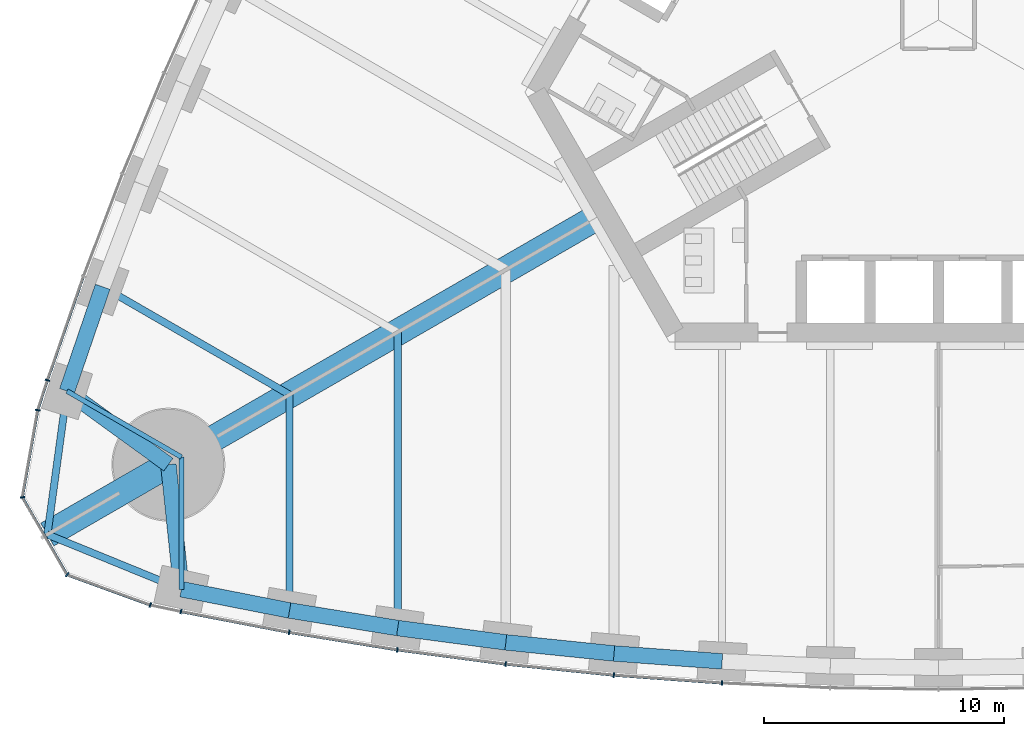
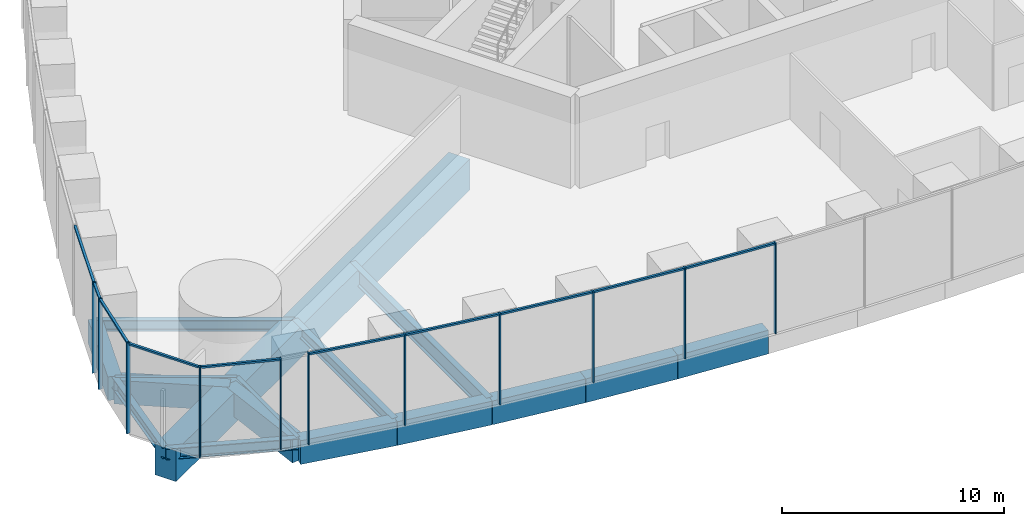
# One storey, part 2 of 21: 21 members, 17 beams, 3 elements without a shape of their own.
"""IFC4 building model written with IfcOpenShell, lengths in metres."""

import ifcopenshell
import ifcopenshell.guid

model = None  # the IFC model being written
_history = None  # IfcOwnerHistory: only IFC2X3 demands one
_inside = {}  # id of a spatial element -> (the spatial element, [elements in it])
_under = {}  # id of a project, library or spatial element -> (it, [spatial elements below it])
_declared = {}  # id of a project -> (the project, [libraries it declares])
_typed = {}  # id of a type object -> (the type object, [elements of that type])
_made_of = {}  # id of a material, layer set ... -> (it, [elements and type objects made of it])


def new_model(schema):
    """Start an empty IFC model of exactly this schema.

    Asked for "IFC4X3", IfcOpenShell would pick the latest addendum, in which some entities
    have other attributes; the version numbers below select the first issue.
    IFC2X3 requires an IfcOwnerHistory on every rooted entity: one is made here for all.
    """
    global model, _history
    if schema == "IFC4X3":
        model = ifcopenshell.file(schema_version=(4, 3, 0, 0))
    else:
        model = ifcopenshell.file(schema=schema)
    _inside.clear()
    _under.clear()
    _declared.clear()
    _typed.clear()
    _made_of.clear()
    _history = None
    if model.schema == "IFC2X3":
        org = make("IfcOrganization", Name="unknown")
        user = make(
            "IfcPersonAndOrganization",
            ThePerson=make("IfcPerson", FamilyName="unknown"),
            TheOrganization=org,
        )
        app = make(
            "IfcApplication",
            ApplicationDeveloper=org,
            Version="unknown",
            ApplicationFullName="unknown",
            ApplicationIdentifier="unknown",
        )
        _history = make(
            "IfcOwnerHistory",
            OwningUser=user,
            OwningApplication=app,
            ChangeAction="ADDED",
            CreationDate=0,
        )
    return model


def make(cls, **values):
    """One entity of the class cls with the attributes given. An attribute that is None is left unset."""
    return model.create_entity(
        cls, **{name: value for name, value in values.items() if value is not None}
    )


def rooted(cls, **values):
    """An entity with a GlobalId (a new one), such as an element, a storey or a relation."""
    return make(cls, GlobalId=ifcopenshell.guid.new(), OwnerHistory=_history, **values)


def si_unit(unit_type, name, prefix=None):
    """IfcSIUnit, for example si_unit("LENGTHUNIT", "METRE", prefix="MILLI")."""
    return make("IfcSIUnit", UnitType=unit_type, Prefix=prefix, Name=name)


def assignment(units):
    """IfcUnitAssignment: the units of a project."""
    return None if units is None else make("IfcUnitAssignment", Units=units)


def point(xyz):
    """IfcCartesianPoint."""
    return None if xyz is None else make("IfcCartesianPoint", Coordinates=xyz)


def direction(xyz):
    """IfcDirection."""
    return None if xyz is None else make("IfcDirection", DirectionRatios=xyz)


def frame(location, z_axis=None, x_axis=None):
    """IfcAxis2Placement3D, a coordinate frame: its origin and axes. An axis left out is left unset."""
    return make(
        "IfcAxis2Placement3D",
        Location=point(location),
        Axis=direction(z_axis),
        RefDirection=direction(x_axis),
    )


def frame_2d(location, x_axis=None):
    """IfcAxis2Placement2D, a coordinate frame in the plane: its origin and x axis."""
    return make(
        "IfcAxis2Placement2D", Location=point(location), RefDirection=direction(x_axis)
    )


def origin():
    """The frame at (0, 0, 0) with its axes left unset."""
    return frame((0.0, 0.0, 0.0))


def origin_2d():
    """The frame at (0, 0) in the plane with its x axis left unset."""
    return frame_2d((0.0, 0.0))


def place(relative_to, where):
    """IfcLocalPlacement: puts the frame where relative to a parent placement (None: the world)."""
    return make(
        "IfcLocalPlacement", PlacementRelTo=relative_to, RelativePlacement=where
    )


def context(
    kind, dimensions, precision=None, world=None, true_north=None, identifier=None
):
    """IfcGeometricRepresentationContext, for example the 3D "Model" context."""
    return make(
        "IfcGeometricRepresentationContext",
        ContextIdentifier=identifier,
        ContextType=kind,
        CoordinateSpaceDimension=dimensions,
        Precision=precision,
        WorldCoordinateSystem=world,
        TrueNorth=true_north,
    )


def subcontext(parent, identifier, kind, view, scale=None):
    """IfcGeometricRepresentationSubContext, for example "Body" below "Model"."""
    return make(
        "IfcGeometricRepresentationSubContext",
        ContextIdentifier=identifier,
        ContextType=kind,
        ParentContext=parent,
        TargetScale=scale,
        TargetView=view,
    )


def project(units=None, contexts=None):
    """IfcProject with its units and contexts."""
    return rooted(
        "IfcProject",
        Name="project",
        RepresentationContexts=contexts,
        UnitsInContext=assignment(units),
    )


def spatial(cls, under=None, at=None, **own):
    """A site, building, storey or space (cls), placed at a placement, below another one or the project."""
    s = rooted(cls, ObjectPlacement=at, **own)
    if under is not None:
        _under.setdefault(under.id(), (under, []))[1].append(s)
    return s


def profile(cls, at=None, kind="AREA", **sizes):
    """A parametric profile (cls). Its sizes go by their IFC names, for example OverallWidth=200.0."""
    return make(cls, ProfileType=kind, Position=at, **sizes)


def rectangle(**sizes):
    """IfcRectangleProfileDef."""
    return profile("IfcRectangleProfileDef", **sizes)


def i_section(**sizes):
    """IfcIShapeProfileDef."""
    return profile("IfcIShapeProfileDef", **sizes)


def extrude(swept, where, along, depth):
    """IfcExtrudedAreaSolid: the profile swept, set in the frame where, extruded along a direction by depth."""
    return make(
        "IfcExtrudedAreaSolid",
        SweptArea=swept,
        Position=where,
        ExtrudedDirection=direction(along),
        Depth=depth,
    )


def shape(context_of_items, identifier, shape_type, items):
    """IfcShapeRepresentation: the items that make up one representation, for example the "Body"."""
    return make(
        "IfcShapeRepresentation",
        ContextOfItems=context_of_items,
        RepresentationIdentifier=identifier,
        RepresentationType=shape_type,
        Items=items,
    )


def material(Name=None, Category=None):
    """IfcMaterial."""
    return make("IfcMaterial", Name=Name, Category=Category)


def material_profile(
    of_material, cross_section, Name=None, Category=None, Priority=None
):
    """IfcMaterialProfile: a cross section and its material."""
    return make(
        "IfcMaterialProfile",
        Name=Name,
        Material=of_material,
        Profile=cross_section,
        Priority=Priority,
        Category=Category,
    )


def profile_set(profiles, Name=None, composite=None):
    """IfcMaterialProfileSet."""
    return make(
        "IfcMaterialProfileSet",
        Name=Name,
        MaterialProfiles=profiles,
        CompositeProfile=composite,
    )


def made_of(thing, what):
    """Note that an element or type object is made of a material, layer set ...; save() writes the relation."""
    if what is not None:
        _made_of.setdefault(what.id(), (what, []))[1].append(thing)
    return thing


def type_object(cls, material=None, **own):
    """A type object (cls), such as IfcWallType, which elements share."""
    return made_of(rooted(cls, **own), material)


def element(
    cls,
    number,
    at=None,
    inside=None,
    cuts=None,
    type_object=None,
    material=None,
    context=None,
    identifier="Body",
    shape_type=None,
    held_by="IfcProductDefinitionShape",
    body=None,
    shapes=None,
    **own,
):
    """One element of the class cls, such as IfcWall. Its Tag is "e" and its number.

    at: its placement. inside: the storey or other place that contains it. cuts: it is an
    opening in that element (IfcRelVoidsElement). A single representation is given by context,
    identifier, shape_type and body (its items); several are given by shapes. held_by: the class
    of the entity that holds the representations. save() writes the other relations.
    """
    e = rooted(cls, Tag="e%d" % number, ObjectPlacement=at, **own)
    if body is not None:
        shapes = [shape(context, identifier, shape_type, body)]
    if shapes is not None:
        e.Representation = make(held_by, Representations=shapes)
    if inside is not None:
        _inside.setdefault(inside.id(), (inside, []))[1].append(e)
    if cuts is not None:
        rooted(
            "IfcRelVoidsElement", RelatingBuildingElement=cuts, RelatedOpeningElement=e
        )
    if type_object is not None:
        _typed.setdefault(type_object.id(), (type_object, []))[1].append(e)
    return made_of(e, material)


def aggregate(whole, parts):
    """IfcRelAggregates: a whole, such as a stair, and the parts it consists of."""
    return rooted("IfcRelAggregates", RelatingObject=whole, RelatedObjects=parts)


def save(model, path):
    """Write the relations noted so far, then the file.

    IfcRelAggregates (storeys below a building ...), IfcRelContainedInSpatialStructure (elements
    in a storey), IfcRelDefinesByType, IfcRelAssociatesMaterial and IfcRelDeclares: one each for
    every whole, place, type object, material and project.
    """
    for whole, parts in _under.values():
        aggregate(whole, parts)
    for where, things in _inside.values():
        rooted(
            "IfcRelContainedInSpatialStructure",
            RelatedElements=things,
            RelatingStructure=where,
        )
    for kind, things in _typed.values():
        rooted("IfcRelDefinesByType", RelatedObjects=things, RelatingType=kind)
    for what, things in _made_of.values():
        rooted("IfcRelAssociatesMaterial", RelatedObjects=things, RelatingMaterial=what)
    for by, libraries in _declared.values():
        rooted("IfcRelDeclares", RelatingContext=by, RelatedDefinitions=libraries)
    model.write(path)


model = new_model("IFC4")

# Units and contexts
model_context = context("Model", 3, precision=1e-05, world=origin(), true_north=direction((0.0, 1.0)))
body_context = subcontext(model_context, "Body", "Model", "MODEL_VIEW")
ifc_project = project(units=[si_unit("LENGTHUNIT", "METRE"), si_unit("AREAUNIT", "SQUARE_METRE"), si_unit("VOLUMEUNIT", "CUBIC_METRE"), si_unit("PLANEANGLEUNIT", "RADIAN"), si_unit("MASSUNIT", "GRAM", prefix="KILO")], contexts=[model_context])

# Site, building, storey
site_placement = place(None, origin())
site = spatial("IfcSite", under=ifc_project, at=site_placement, CompositionType="ELEMENT")
building_placement = place(site_placement, origin())
building = spatial("IfcBuilding", under=site, at=building_placement, Name="Trefoil Bronze Tower", CompositionType="ELEMENT")
storey_placement = place(building_placement, frame((0.0, 0.0, 6.5)))
storey = spatial("IfcBuildingStorey", under=building, at=storey_placement, Name="L01", CompositionType="ELEMENT", Elevation=6.5)

# Curtain wall, members
ifc_material_1 = material(Name="Tinted solar-control glass", Category="glass")
curtain_wall_type_1 = type_object("IfcCurtainWallType", Name="Bronze podium storefront curtain wall", PredefinedType="USERDEFINED", material=ifc_material_1)
curtain_wall_1_placement = place(storey_placement, origin())
curtain_wall_1 = element("IfcCurtainWall", 1, at=curtain_wall_1_placement, inside=storey, type_object=curtain_wall_type_1, Name="CW-C L01 F1", ObjectType="CURTAIN WALL", PredefinedType="USERDEFINED")
ifc_material_2 = material(Name="Bronze-finish aluminium", Category="aluminium")
ifc_material_profile_1 = material_profile(ifc_material_2, rectangle(XDim=0.199951171875, YDim=0.06005859375, at=origin_2d()), Name="CW-C mullion")
ifc_profile_set_1 = profile_set([ifc_material_profile_1], Name="Bronze-finish aluminium")
member_type_1 = type_object("IfcMemberType", Name="Bronze podium storefront curtain wall mullion", PredefinedType="MULLION", material=ifc_profile_set_1)
member_1_placement = place(storey_placement, frame((-31.519775390625, -24.614013671875, 0.0), z_axis=(0.0, 0.0, 1.0), x_axis=(0.197910006829, 0.98022019424, 0.0)))
member_1 = element("IfcMember", 2, at=member_1_placement, type_object=member_type_1, Name="CW-C L01 F1 mullion 2", PredefinedType="MULLION", context=body_context, shape_type="SweptSolid", body=[
    extrude(rectangle(XDim=0.199951171875, YDim=0.06005859375, at=origin_2d()), origin(), (0.0, 0.0, 1.0), 4.97998046875),
])
member_2_placement = place(storey_placement, frame((-27.017333984375, -25.478759765625, 0.0), z_axis=(0.0, 0.0, 1.0), x_axis=(0.174131146426, 0.984722470468, 0.0)))
member_2 = element("IfcMember", 3, at=member_2_placement, type_object=member_type_1, Name="CW-C L01 F1 mullion 3", PredefinedType="MULLION", context=body_context, shape_type="SweptSolid", body=[
    extrude(rectangle(XDim=0.199951171875, YDim=0.06005859375, at=origin_2d()), origin(), (0.0, 0.0, 1.0), 4.97998046875),
])
member_3_placement = place(storey_placement, frame((-22.514404296875, -26.206787109375, 0.0), z_axis=(0.0, 0.0, 1.0), x_axis=(0.145108990094, 0.989415676546, 0.0)))
member_3 = element("IfcMember", 4, at=member_3_placement, type_object=member_type_1, Name="CW-C L01 F1 mullion 4", PredefinedType="MULLION", context=body_context, shape_type="SweptSolid", body=[
    extrude(rectangle(XDim=0.199951171875, YDim=0.06005859375, at=origin_2d()), origin(), (0.0, 0.0, 1.0), 4.97998046875),
])
member_4_placement = place(storey_placement, frame((-18.01171875, -26.800048828125, 0.0), z_axis=(0.0, 0.0, 1.0), x_axis=(0.116086999973, 0.993239048989, 0.0)))
member_4 = element("IfcMember", 5, at=member_4_placement, type_object=member_type_1, Name="CW-C L01 F1 mullion 5", PredefinedType="MULLION", context=body_context, shape_type="SweptSolid", body=[
    extrude(rectangle(XDim=0.199951171875, YDim=0.06005859375, at=origin_2d()), origin(), (0.0, 0.0, 1.0), 4.97998046875),
])
member_5_placement = place(storey_placement, frame((-13.5087890625, -27.259765625, 0.0), z_axis=(0.0, 0.0, 1.0), x_axis=(0.087065139456, 0.996202620701, 0.0)))
member_5 = element("IfcMember", 6, at=member_5_placement, type_object=member_type_1, Name="CW-C L01 F1 mullion 6", PredefinedType="MULLION", context=body_context, shape_type="SweptSolid", body=[
    extrude(rectangle(XDim=0.199951171875, YDim=0.06005859375, at=origin_2d()), origin(), (0.0, 0.0, 1.0), 4.97998046875),
])
member_6_placement = place(storey_placement, frame((-9.005859375, -27.587158203125, 0.0), z_axis=(0.0, 0.0, 1.0), x_axis=(0.058043374207, 0.998314062162, 0.0)))
member_6 = element("IfcMember", 7, at=member_6_placement, type_object=member_type_1, Name="CW-C L01 F1 mullion 7", PredefinedType="MULLION", context=body_context, shape_type="SweptSolid", body=[
    extrude(rectangle(XDim=0.199951171875, YDim=0.06005859375, at=origin_2d()), origin(), (0.0, 0.0, 1.0), 4.97998046875),
])

# Curtain wall, member
curtain_wall_2_placement = place(storey_placement, origin())
curtain_wall_2 = element("IfcCurtainWall", 8, at=curtain_wall_2_placement, inside=storey, type_object=curtain_wall_type_1, Name="CW-C L01 F3", ObjectType="CURTAIN WALL", PredefinedType="USERDEFINED")
member_7_placement = place(storey_placement, frame((-37.076416015625, -14.989990234375, 0.0), z_axis=(0.0, 0.0, 1.0), x_axis=(0.947850592929, -0.318715003543, 0.0)))
member_7 = element("IfcMember", 9, at=member_7_placement, type_object=member_type_1, Name="CW-C L01 F3 mullion 16", PredefinedType="MULLION", context=body_context, shape_type="SweptSolid", body=[
    extrude(rectangle(XDim=0.199951171875, YDim=0.06005859375, at=origin_2d()), origin(), (0.0, 0.0, 1.0), 4.97998046875),
])

# Member
ifc_material_3 = material(Name="Bronze-finish aluminium", Category="aluminium")
ifc_material_profile_2 = material_profile(ifc_material_3, rectangle(XDim=0.1201171875, YDim=0.10009765625, at=origin_2d()), Name="CW-C transom")
ifc_profile_set_2 = profile_set([ifc_material_profile_2], Name="Bronze-finish aluminium")
member_type_2 = type_object("IfcMemberType", Name="Bronze podium storefront curtain wall transom", PredefinedType="USERDEFINED", material=ifc_profile_set_2)
member_8_placement = place(storey_placement, frame((-31.489501953125, -24.619873046875, 4.929931640625), z_axis=(0.982049163512, -0.18862513206, 0.0), x_axis=(0.18862513206, 0.982049163512, 0.0)))
member_8 = element("IfcMember", 10, at=member_8_placement, type_object=member_type_2, Name="CW-C L01 F1 transom 2", ObjectType="TRANSOM", PredefinedType="USERDEFINED", context=body_context, shape_type="SweptSolid", body=[
    extrude(rectangle(XDim=0.1201171875, YDim=0.10009765625, at=origin_2d()), origin(), (0.0, 0.0, 1.0), 4.5224609375),
])

member_9_placement = place(storey_placement, frame((-26.986328125, -25.48388671875, 4.929931640625), z_axis=(0.987178845657, -0.159618065043, 0.0), x_axis=(0.159618065043, 0.987178845657, 0.0)))
member_9 = element("IfcMember", 11, at=member_9_placement, type_object=member_type_2, Name="CW-C L01 F1 transom 3", ObjectType="TRANSOM", PredefinedType="USERDEFINED", context=body_context, shape_type="SweptSolid", body=[
    extrude(rectangle(XDim=0.1201171875, YDim=0.10009765625, at=origin_2d()), origin(), (0.0, 0.0, 1.0), 4.498291015625),
])

member_10_placement = place(storey_placement, frame((-22.4833984375, -26.2109375, 4.929931640625), z_axis=(0.991435175775, -0.130599740566, 0.0), x_axis=(0.130599740566, 0.991435175775, 0.0)))
member_10 = element("IfcMember", 12, at=member_10_placement, type_object=member_type_2, Name="CW-C L01 F1 transom 4", ObjectType="TRANSOM", PredefinedType="USERDEFINED", context=body_context, shape_type="SweptSolid", body=[
    extrude(rectangle(XDim=0.1201171875, YDim=0.10009765625, at=origin_2d()), origin(), (0.0, 0.0, 1.0), 4.47900390625),
])

member_11_placement = place(storey_placement, frame((-17.980224609375, -26.80322265625, 4.929931640625), z_axis=(0.994833127844, -0.101523631455, 0.0), x_axis=(0.101523631455, 0.994833127844, 0.0)))
member_11 = element("IfcMember", 13, at=member_11_placement, type_object=member_type_2, Name="CW-C L01 F1 transom 5", ObjectType="TRANSOM", PredefinedType="USERDEFINED", context=body_context, shape_type="SweptSolid", body=[
    extrude(rectangle(XDim=0.1201171875, YDim=0.10009765625, at=origin_2d()), origin(), (0.0, 0.0, 1.0), 4.463134765625),
])

member_12_placement = place(storey_placement, frame((-13.477294921875, -27.261962890625, 4.929931640625), z_axis=(0.997364590548, -0.072552556953, 0.0), x_axis=(0.072552556953, 0.997364590548, 0.0)))
member_12 = element("IfcMember", 14, at=member_12_placement, type_object=member_type_2, Name="CW-C L01 F1 transom 6", ObjectType="TRANSOM", PredefinedType="USERDEFINED", context=body_context, shape_type="SweptSolid", body=[
    extrude(rectangle(XDim=0.1201171875, YDim=0.10009765625, at=origin_2d()), origin(), (0.0, 0.0, 1.0), 4.451904296875),
])

aggregate(curtain_wall_1, [member_1, member_2, member_3, member_4, member_5, member_6, member_8, member_9, member_10, member_11, member_12])

member_13_placement = place(storey_placement, frame((-35.58447265625, -10.68798828125, 4.929931640625), z_axis=(-0.327638958875, -0.944803002021, 0.0), x_axis=(0.944803002021, -0.327638958875, 0.0)))
member_13 = element("IfcMember", 15, at=member_13_placement, type_object=member_type_2, Name="CW-C L01 F3 transom 15", ObjectType="TRANSOM", PredefinedType="USERDEFINED", context=body_context, shape_type="SweptSolid", body=[
    extrude(rectangle(XDim=0.1201171875, YDim=0.10009765625, at=origin_2d()), origin(), (0.0, 0.0, 1.0), 4.522216796875),
])

member_14_placement = place(storey_placement, frame((-37.0859375, -15.019287109375, 4.929931640625), z_axis=(-0.309732068556, -0.950823877334, 0.0), x_axis=(0.950823877334, -0.309732068556, 0.0)))
member_14 = element("IfcMember", 16, at=member_14_placement, type_object=member_type_2, Name="CW-C L01 F3 transom 16", ObjectType="TRANSOM", PredefinedType="USERDEFINED", context=body_context, shape_type="SweptSolid", body=[
    extrude(rectangle(XDim=0.1201171875, YDim=0.10009765625, at=origin_2d()), origin(), (0.0, 0.0, 1.0), 1.23046875),
])

aggregate(curtain_wall_2, [member_7, member_13, member_14])

# Curtain wall, members
ifc_material_4 = material(Name="Tinted solar-control glass", Category="glass")
curtain_wall_type_2 = type_object("IfcCurtainWallType", Name="Bronze rounded corner curtain wall", PredefinedType="USERDEFINED", material=ifc_material_4)
curtain_wall_3_placement = place(storey_placement, origin())
curtain_wall_3 = element("IfcCurtainWall", 17, at=curtain_wall_3_placement, inside=storey, type_object=curtain_wall_type_2, Name="CW-B L01 K3", ObjectType="CURTAIN WALL", PredefinedType="USERDEFINED")
ifc_material_5 = material(Name="Bronze-finish aluminium", Category="aluminium")
ifc_material_profile_3 = material_profile(ifc_material_5, rectangle(XDim=0.199951171875, YDim=0.06005859375, at=origin_2d()), Name="CW-B mullion")
ifc_profile_set_3 = profile_set([ifc_material_profile_3], Name="Bronze-finish aluminium")
member_type_3 = type_object("IfcMemberType", Name="Bronze rounded corner curtain wall mullion", PredefinedType="MULLION", material=ifc_profile_set_3)
member_15_placement = place(storey_placement, frame((-37.479736328125, -16.2314453125, 0.0), z_axis=(0.0, 0.0, 1.0), x_axis=(0.984807753012, -0.173648177667, 0.0)))
member_15 = element("IfcMember", 18, at=member_15_placement, type_object=member_type_3, Name="CW-B L01 K3 mullion 1", PredefinedType="MULLION", context=body_context, shape_type="SweptSolid", body=[
    extrude(rectangle(XDim=0.199951171875, YDim=0.06005859375, at=origin_2d()), origin(), (0.0, 0.0, 1.0), 4.97998046875),
])
member_16_placement = place(storey_placement, frame((-38.11328125, -19.85888671875, 0.0), z_axis=(0.0, 0.0, 1.0), x_axis=(0.984807753012, 0.173648177667, 0.0)))
member_16 = element("IfcMember", 19, at=member_16_placement, type_object=member_type_3, Name="CW-B L01 K3 mullion 2", PredefinedType="MULLION", context=body_context, shape_type="SweptSolid", body=[
    extrude(rectangle(XDim=0.199951171875, YDim=0.06005859375, at=origin_2d()), origin(), (0.0, 0.0, 1.0), 4.97998046875),
])
member_17_placement = place(storey_placement, frame((-36.2548828125, -23.07763671875, 0.0), z_axis=(0.0, 0.0, 1.0), x_axis=(0.642787609687, 0.766044443119, 0.0)))
member_17 = element("IfcMember", 20, at=member_17_placement, type_object=member_type_3, Name="CW-B L01 K3 mullion 3", PredefinedType="MULLION", context=body_context, shape_type="SweptSolid", body=[
    extrude(rectangle(XDim=0.199951171875, YDim=0.06005859375, at=origin_2d()), origin(), (0.0, 0.0, 1.0), 4.97998046875),
])
member_18_placement = place(storey_placement, frame((-32.796630859375, -24.3427734375, 0.0), z_axis=(0.0, 0.0, 1.0), x_axis=(0.342020143326, 0.939692620786, 0.0)))
member_18 = element("IfcMember", 21, at=member_18_placement, type_object=member_type_3, Name="CW-B L01 K3 mullion 4", PredefinedType="MULLION", context=body_context, shape_type="SweptSolid", body=[
    extrude(rectangle(XDim=0.199951171875, YDim=0.06005859375, at=origin_2d()), origin(), (0.0, 0.0, 1.0), 4.97998046875),
])
ifc_material_6 = material(Name="Bronze-finish aluminium", Category="aluminium")
ifc_material_profile_4 = material_profile(ifc_material_6, rectangle(XDim=0.1201171875, YDim=0.10009765625, at=origin_2d()), Name="CW-B transom")
ifc_profile_set_4 = profile_set([ifc_material_profile_4], Name="Bronze-finish aluminium")
member_type_4 = type_object("IfcMemberType", Name="Bronze rounded corner curtain wall transom", PredefinedType="USERDEFINED", material=ifc_profile_set_4)
member_19_placement = place(storey_placement, frame((-37.48486328125, -16.260986328125, 4.929931640625), z_axis=(-0.17363783606, -0.984809576461, 0.0), x_axis=(0.984809576461, -0.17363783606, 0.0)))
member_19 = element("IfcMember", 22, at=member_19_placement, type_object=member_type_4, Name="CW-B L01 K3 transom 1", ObjectType="TRANSOM", PredefinedType="USERDEFINED", context=body_context, shape_type="SweptSolid", body=[
    extrude(rectangle(XDim=0.1201171875, YDim=0.10009765625, at=origin_2d()), origin(), (0.0, 0.0, 1.0), 3.588134765625),
])
member_20_placement = place(storey_placement, frame((-38.08642578125, -19.91748046875, 4.929931640625), z_axis=(0.500024788772, -0.866011091507, 0.0), x_axis=(0.866011091507, 0.500024788772, 0.0)))
member_20 = element("IfcMember", 23, at=member_20_placement, type_object=member_type_4, Name="CW-B L01 K3 transom 2", ObjectType="TRANSOM", PredefinedType="USERDEFINED", context=body_context, shape_type="SweptSolid", body=[
    extrude(rectangle(XDim=0.1201171875, YDim=0.10009765625, at=origin_2d()), origin(), (0.0, 0.0, 1.0), 3.588134765625),
])
member_21_placement = place(storey_placement, frame((-36.196533203125, -23.105224609375, 4.929931640625), z_axis=(0.939688092095, -0.342032585545, 0.0), x_axis=(0.342032585545, 0.939688092095, 0.0)))
member_21 = element("IfcMember", 24, at=member_21_placement, type_object=member_type_4, Name="CW-B L01 K3 transom 3", ObjectType="TRANSOM", PredefinedType="USERDEFINED", context=body_context, shape_type="SweptSolid", body=[
    extrude(rectangle(XDim=0.1201171875, YDim=0.10009765625, at=origin_2d()), origin(), (0.0, 0.0, 1.0), 3.588134765625),
])
aggregate(curtain_wall_3, [member_15, member_16, member_17, member_18, member_19, member_20, member_21])

# Beams
ifc_material_7 = material(Name="Concrete B80", Category="concrete")
ifc_material_profile_5 = material_profile(ifc_material_7, rectangle(XDim=1.10009765625, YDim=1.699951171875, at=origin_2d()), Name="RC 1100x1700")
ifc_profile_set_5 = profile_set([ifc_material_profile_5], Name="Concrete B80")
beam_type_1 = type_object("IfcBeamType", Name="Corner cantilever RC 1100x1700", PredefinedType="BEAM", material=ifc_profile_set_5)
beam_1_placement = place(storey_placement, frame((-32.04296875, -18.5, -1.050048828125), z_axis=(-0.866030348588, -0.499991435252, 0.0), x_axis=(0.499991435252, -0.866030348588, 0.0)))
element("IfcBeam", 25, at=beam_1_placement, inside=storey, type_object=beam_type_1, Name="Corner cantilever K3 L01", PredefinedType="BEAM", context=body_context, shape_type="SweptSolid", body=[
    extrude(rectangle(XDim=1.10009765625, YDim=1.699951171875, at=origin_2d()), origin(), (0.0, 0.0, 1.0), 5.81396484375),
])
ifc_material_8 = material(Name="Steel C355", Category="steel")
ifc_material_profile_6 = material_profile(ifc_material_8, i_section(OverallWidth=0.300048828125, OverallDepth=0.60009765625, WebThickness=0.015380859375, FlangeThickness=0.030029296875, FilletRadius=0.027099609375, at=origin_2d()), Name="HEB 600")
ifc_profile_set_6 = profile_set([ifc_material_profile_6], Name="Steel C355")
beam_type_2 = type_object("IfcBeamType", Name="Corner edge beam HEB 600", PredefinedType="BEAM", material=ifc_profile_set_6)
beam_2_placement = place(storey_placement, frame((-31.5, -23.684814453125, -0.5), z_axis=(-0.925786874353, 0.378045848114, 0.0), x_axis=(-0.378045848114, -0.925786874353, 0.0)))
element("IfcBeam", 26, at=beam_2_placement, inside=storey, type_object=beam_type_2, Name="Corner edge beam F1B L01", PredefinedType="BEAM", context=body_context, shape_type="SweptSolid", body=[
    extrude(i_section(OverallWidth=0.300048828125, OverallDepth=0.60009765625, WebThickness=0.015380859375, FlangeThickness=0.030029296875, FilletRadius=0.027099609375, at=origin_2d()), origin(), (0.0, 0.0, 1.0), 6.025390625),
])
beam_3_placement = place(storey_placement, frame((-36.26171875, -15.4375, -0.5), z_axis=(-0.13550196505, -0.990777077585, 0.0), x_axis=(0.990777077585, -0.13550196505, 0.0)))
element("IfcBeam", 27, at=beam_3_placement, inside=storey, type_object=beam_type_2, Name="Corner edge beam F3A L01", PredefinedType="BEAM", context=body_context, shape_type="SweptSolid", body=[
    extrude(i_section(OverallWidth=0.300048828125, OverallDepth=0.60009765625, WebThickness=0.015380859375, FlangeThickness=0.030029296875, FilletRadius=0.027099609375, at=origin_2d()), origin(), (0.0, 0.0, 1.0), 6.025146484375),
])
ifc_material_9 = material(Name="Concrete B80", Category="concrete")
ifc_material_profile_7 = material_profile(ifc_material_9, rectangle(XDim=1.10009765625, YDim=1.699951171875, at=origin_2d()), Name="RC 1100x1700")
ifc_profile_set_7 = profile_set([ifc_material_profile_7], Name="Concrete B80")
beam_type_3 = type_object("IfcBeamType", Name="Corner girder RC 1100x1700", PredefinedType="BEAM", material=ifc_profile_set_7)
beam_4_placement = place(storey_placement, frame((-14.202880859375, -8.199951171875, -1.050048828125), z_axis=(-0.866023947468, -0.500002522405, 0.0), x_axis=(0.500002522405, -0.866023947468, 0.0)))
element("IfcBeam", 28, at=beam_4_placement, inside=storey, type_object=beam_type_3, Name="Corner girder K3 L01", PredefinedType="BEAM", context=body_context, shape_type="SweptSolid", body=[
    extrude(rectangle(XDim=1.10009765625, YDim=1.699951171875, at=origin_2d()), origin(), (0.0, 0.0, 1.0), 20.60009765625),
])
ifc_material_10 = material(Name="Concrete B80", Category="concrete")
ifc_material_profile_8 = material_profile(ifc_material_10, rectangle(XDim=0.64990234375, YDim=1.300048828125, at=origin_2d()), Name="RC 650x1300")
ifc_profile_set_8 = profile_set([ifc_material_profile_8], Name="Concrete B80")
beam_type_4 = type_object("IfcBeamType", Name="End spandrel beam RC 650x1300", PredefinedType="SPANDREL", material=ifc_profile_set_8)
for number, where, z_axis, x_axis, name in (
    (29, (-32.04296875, -18.5, -0.85009765625), (0.104153327908, -0.994561252154, 0.0), (0.994561252154, 0.104153327908, 0.0), "Spandrel F1.1 L01"),
    (30, (-36.26171875, -15.4375, -0.85009765625), (0.809254211267, -0.587458612624, 0.0), (0.587458612624, 0.809254211267, 0.0), "Spandrel F3.16 L01"),
):
    element("IfcBeam", number, at=place(storey_placement, frame(where, z_axis=z_axis, x_axis=x_axis)), inside=storey, type_object=beam_type_4, Name=name, PredefinedType="SPANDREL", context=body_context, shape_type="SweptSolid", body=[
        extrude(rectangle(XDim=0.64990234375, YDim=1.300048828125, at=origin_2d()), origin(), (0.0, 0.0, 1.0), 5.213134765625),
    ])
ifc_material_11 = material(Name="Steel C355", Category="steel")
ifc_material_profile_9 = material_profile(ifc_material_11, i_section(OverallWidth=0.300048828125, OverallDepth=0.60009765625, WebThickness=0.015380859375, FlangeThickness=0.030029296875, FilletRadius=0.027099609375, at=origin_2d()), Name="HEB 600")
ifc_profile_set_9 = profile_set([ifc_material_profile_9], Name="Steel C355")
beam_type_5 = type_object("IfcBeamType", Name="Floor beam HEB 600", PredefinedType="BEAM", material=ifc_profile_set_9)
for number, where, z_axis, x_axis, name in (
    (31, (-27.0, -24.56787109375, -0.5), (0.0, 1.0, 0.0), (-1.0, 0.0, 0.0), "Floor beam F1/-6 L01"),
    (32, (-34.7763671875, -11.0986328125, -0.5), (0.866022587327, -0.500004878216, 0.0), (0.500004878216, 0.866022587327, 0.0), "Floor beam F3/+6 L01"),
):
    element("IfcBeam", number, at=place(storey_placement, frame(where, z_axis=z_axis, x_axis=x_axis)), inside=storey, type_object=beam_type_5, Name=name, PredefinedType="BEAM", context=body_context, shape_type="SweptSolid", body=[
        extrude(i_section(OverallWidth=0.300048828125, OverallDepth=0.60009765625, WebThickness=0.015380859375, FlangeThickness=0.030029296875, FilletRadius=0.027099609375, at=origin_2d()), origin(), (0.0, 0.0, 1.0), 8.9794921875),
    ])
ifc_material_12 = material(Name="Steel C355", Category="steel")
ifc_material_profile_10 = material_profile(ifc_material_12, i_section(OverallWidth=0.300048828125, OverallDepth=0.89990234375, WebThickness=0.0185546875, FlangeThickness=0.034912109375, FilletRadius=0.030029296875, at=origin_2d()), Name="HEB 900")
ifc_profile_set_10 = profile_set([ifc_material_profile_10], Name="Steel C355")
beam_type_6 = type_object("IfcBeamType", Name="Floor beam HEB 900", PredefinedType="BEAM", material=ifc_profile_set_10)
beam_5_placement = place(storey_placement, frame((-22.5, -25.29931640625, -0.64990234375), z_axis=(0.0, 1.0, 0.0), x_axis=(-1.0, 0.0, 0.0)))
element("IfcBeam", 33, at=beam_5_placement, inside=storey, type_object=beam_type_6, Name="Floor beam F1/-5 L01", PredefinedType="BEAM", context=body_context, shape_type="SweptSolid", body=[
    extrude(i_section(OverallWidth=0.300048828125, OverallDepth=0.89990234375, WebThickness=0.0185546875, FlangeThickness=0.034912109375, FilletRadius=0.030029296875, at=origin_2d()), origin(), (0.0, 0.0, 1.0), 12.308837890625),
])
ifc_material_13 = material(Name="Steel C355", Category="steel")
ifc_material_profile_11 = material_profile(ifc_material_13, i_section(OverallWidth=0.199951171875, OverallDepth=0.5, WebThickness=0.01025390625, FlangeThickness=0.01611328125, FilletRadius=0.02099609375, at=origin_2d()), Name="IPE 500")
ifc_profile_set_11 = profile_set([ifc_material_profile_11], Name="Steel C355")
beam_type_7 = type_object("IfcBeamType", Name="Floor beam IPE 500", PredefinedType="BEAM", material=ifc_profile_set_11)
for number, where, z_axis, x_axis, name in (
    (34, (-31.5, -23.684814453125, -0.449951171875), (0.0, 1.0, 0.0), (-1.0, 0.0, 0.0), "Floor beam F1/-7 L01"),
    (35, (-36.26171875, -15.4375, -0.449951171875), (0.866037702141, -0.499978698016, 0.0), (0.499978698016, 0.866037702141, 0.0), "Floor beam F3/+7 L01"),
):
    element("IfcBeam", number, at=place(storey_placement, frame(where, z_axis=z_axis, x_axis=x_axis)), inside=storey, type_object=beam_type_7, Name=name, PredefinedType="BEAM", context=body_context, shape_type="SweptSolid", body=[
        extrude(i_section(OverallWidth=0.199951171875, OverallDepth=0.5, WebThickness=0.01025390625, FlangeThickness=0.01611328125, FilletRadius=0.02099609375, at=origin_2d()), origin(), (0.0, 0.0, 1.0), 5.498291015625),
    ])
ifc_material_14 = material(Name="Concrete B80", Category="concrete")
ifc_material_profile_12 = material_profile(ifc_material_14, rectangle(XDim=0.64990234375, YDim=1.300048828125, at=origin_2d()), Name="RC 650x1300")
ifc_profile_set_12 = profile_set([ifc_material_profile_12], Name="Concrete B80")
beam_type_8 = type_object("IfcBeamType", Name="Spandrel beam RC 650x1300", PredefinedType="SPANDREL", material=ifc_profile_set_12)
beam_6_placement = place(storey_placement, frame((-31.5, -23.684814453125, -0.85009765625), z_axis=(0.981284764092, -0.192562228283, 0.0), x_axis=(0.192562228283, 0.981284764092, 0.0)))
element("IfcBeam", 36, at=beam_6_placement, inside=storey, type_object=beam_type_8, Name="Spandrel F1.2 L01", PredefinedType="SPANDREL", context=body_context, shape_type="SweptSolid", body=[
    extrude(rectangle(XDim=0.64990234375, YDim=1.300048828125, at=origin_2d()), origin(), (0.0, 0.0, 1.0), 4.5859375),
])
beam_7_placement = place(storey_placement, frame((-27.0, -24.56787109375, -0.85009765625), z_axis=(0.987045951254, -0.160437807615, 0.0), x_axis=(0.160437807615, 0.987045951254, 0.0)))
element("IfcBeam", 37, at=beam_7_placement, inside=storey, type_object=beam_type_8, Name="Spandrel F1.3 L01", PredefinedType="SPANDREL", context=body_context, shape_type="SweptSolid", body=[
    extrude(rectangle(XDim=0.64990234375, YDim=1.300048828125, at=origin_2d()), origin(), (0.0, 0.0, 1.0), 4.55908203125),
])
beam_8_placement = place(storey_placement, frame((-22.5, -25.29931640625, -0.85009765625), z_axis=(0.991344474846, -0.131286450906, 0.0), x_axis=(0.131286450906, 0.991344474846, 0.0)))
element("IfcBeam", 38, at=beam_8_placement, inside=storey, type_object=beam_type_8, Name="Spandrel F1.4 L01", PredefinedType="SPANDREL", context=body_context, shape_type="SweptSolid", body=[
    extrude(rectangle(XDim=0.64990234375, YDim=1.300048828125, at=origin_2d()), origin(), (0.0, 0.0, 1.0), 4.539306640625),
])
beam_9_placement = place(storey_placement, frame((-18.0, -25.895263671875, -0.85009765625), z_axis=(0.994778488621, -0.102057623805, 0.0), x_axis=(0.102057623805, 0.994778488621, 0.0)))
element("IfcBeam", 39, at=beam_9_placement, inside=storey, type_object=beam_type_8, Name="Spandrel F1.5 L01", PredefinedType="SPANDREL", context=body_context, shape_type="SweptSolid", body=[
    extrude(rectangle(XDim=0.64990234375, YDim=1.300048828125, at=origin_2d()), origin(), (0.0, 0.0, 1.0), 4.523681640625),
])
beam_10_placement = place(storey_placement, frame((-13.5, -26.35693359375, -0.85009765625), z_axis=(0.997336412354, -0.072938882588, 0.0), x_axis=(0.072938882588, 0.997336412354, 0.0)))
element("IfcBeam", 40, at=beam_10_placement, inside=storey, type_object=beam_type_8, Name="Spandrel F1.6 L01", PredefinedType="SPANDREL", context=body_context, shape_type="SweptSolid", body=[
    extrude(rectangle(XDim=0.64990234375, YDim=1.300048828125, at=origin_2d()), origin(), (0.0, 0.0, 1.0), 4.511962890625),
])
beam_11_placement = place(storey_placement, frame((-34.7763671875, -11.0986328125, -0.85009765625), z_axis=(-0.323883319148, -0.946097032855, 0.0), x_axis=(0.946097032855, -0.323883319148, 0.0)))
element("IfcBeam", 41, at=beam_11_placement, inside=storey, type_object=beam_type_8, Name="Spandrel F3.15 L01", PredefinedType="SPANDREL", context=body_context, shape_type="SweptSolid", body=[
    extrude(rectangle(XDim=0.64990234375, YDim=1.300048828125, at=origin_2d()), origin(), (0.0, 0.0, 1.0), 4.586181640625),
])

save(model, "model.ifc")
